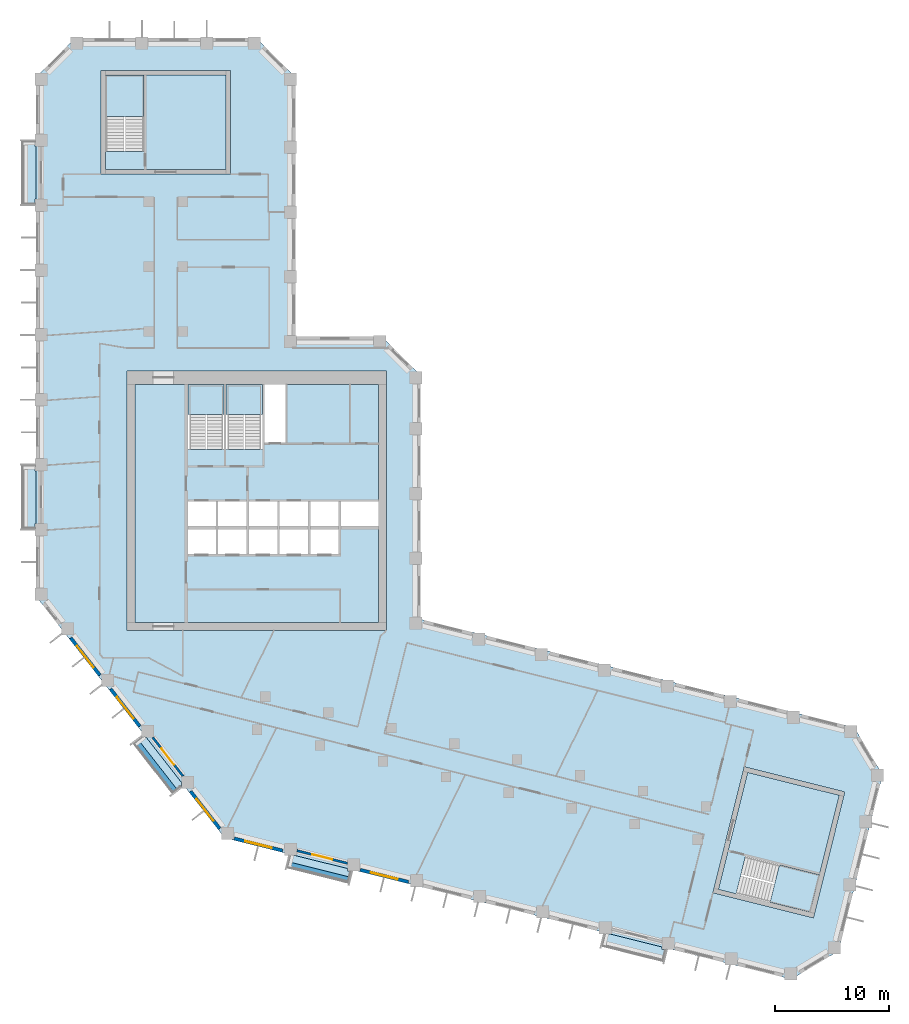
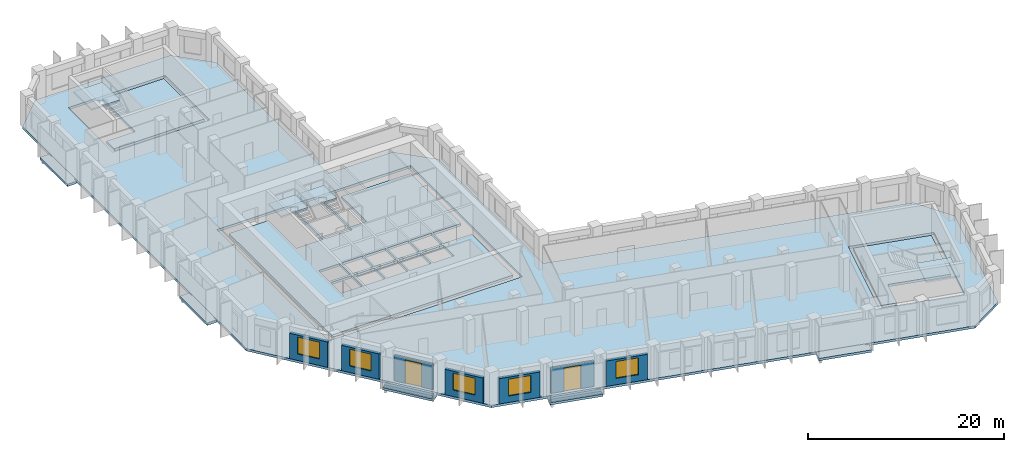
# One storey, part 2 of 10: 13 slabs, 9 walls, 5 windows, 2 doors, 7 openings, 4 elements without a shape of their own.
"""IFC4 building model written with IfcOpenShell, lengths in metres."""

from ifc_helpers import new_model, si_unit, direction, frame, frame_2d, origin, place, context, subcontext, project, spatial, polyline, rectangle, outline, extrude, material, layer, layer_set, type_object, element, fill, aggregate, save


model = new_model("IFC4")

# Units and contexts
model_context = context("Model", 3, precision=1e-05, world=origin(), true_north=direction((0.0, 1.0)))
body_context = subcontext(model_context, "Body", "Model", "MODEL_VIEW")
ifc_project = project(units=[si_unit("LENGTHUNIT", "METRE"), si_unit("AREAUNIT", "SQUARE_METRE"), si_unit("VOLUMEUNIT", "CUBIC_METRE"), si_unit("PLANEANGLEUNIT", "RADIAN"), si_unit("MASSUNIT", "GRAM", prefix="KILO")], contexts=[model_context])

# Site, building, storey
site_placement = place(None, origin())
site = spatial("IfcSite", under=ifc_project, at=site_placement, CompositionType="ELEMENT")
building_placement = place(site_placement, origin())
building = spatial("IfcBuilding", under=site, at=building_placement, Name="Meshkara Civic Tower", CompositionType="ELEMENT")
storey_placement = place(building_placement, frame((0.0, 0.0, 276.0)))
storey = spatial("IfcBuildingStorey", under=building, at=storey_placement, Name="L63", CompositionType="ELEMENT", Elevation=276.0)

# Slabs
ifc_material_1 = material(Name="Concrete C40", Category="concrete")
ifc_layer_1 = layer(ifc_material_1, 0.300048828125)
ifc_layer_set_1 = layer_set([ifc_layer_1], Name="BALCONY SLAB")
slab_type_1 = type_object("IfcSlabType", Name="BALCONY SLAB", PredefinedType="FLOOR", material=ifc_layer_set_1)
slab_1_placement = place(storey_placement, frame((0.0, 0.0, -0.300048828125)))
element("IfcSlab", 1, at=slab_1_placement, inside=storey, type_object=slab_type_1, Name="Balcony slab", PredefinedType="FLOOR", context=body_context, shape_type="SweptSolid", body=[
    extrude(outline(polyline([(-1.199951171875, 51.514892578125), (-1.199951171875, 57.094970703125), (-0.10009765625, 57.094970703125), (-0.10009765625, 56.60498046875), (0.0, 56.60498046875), (0.0, 52.0048828125), (-0.10009765625, 52.0048828125), (-0.10009765625, 51.514892578125), (-1.199951171875, 51.514892578125)])), origin(), (0.0, 0.0, 1.0), 0.300048828125),
])
slab_2_placement = place(storey_placement, frame((0.0, 0.0, -0.300048828125)))
element("IfcSlab", 2, at=slab_2_placement, inside=storey, type_object=slab_type_1, Name="Balcony slab", PredefinedType="FLOOR", context=body_context, shape_type="SweptSolid", body=[
    extrude(outline(polyline([(-1.199951171875, 23.014892578125), (-1.199951171875, 28.594970703125), (-0.10009765625, 28.594970703125), (-0.10009765625, 28.10498046875), (0.0, 28.10498046875), (0.0, 23.5048828125), (-0.10009765625, 23.5048828125), (-0.10009765625, 23.014892578125), (-1.199951171875, 23.014892578125)])), origin(), (0.0, 0.0, 1.0), 0.300048828125),
])
slab_3_placement = place(storey_placement, frame((0.0, 0.0, -0.300048828125)))
element("IfcSlab", 3, at=slab_3_placement, inside=storey, type_object=slab_type_1, Name="Balcony slab", PredefinedType="FLOOR", context=body_context, shape_type="SweptSolid", body=[
    extrude(outline(polyline([(12.0048828125, -0.215087890625), (8.570068359375, 4.181884765625), (9.282958984375, 4.739013671875), (9.282958984375, 4.695068359375), (9.69189453125, 4.695068359375), (12.7919921875, 0.72705078125), (12.7919921875, 0.39990234375), (12.0048828125, -0.215087890625)])), origin(), (0.0, 0.0, 1.0), 0.300048828125),
])
slab_4_placement = place(storey_placement, frame((0.0, 0.0, -0.300048828125)))
element("IfcSlab", 4, at=slab_4_placement, inside=storey, type_object=slab_type_1, Name="Balcony slab", PredefinedType="FLOOR", context=body_context, shape_type="SweptSolid", body=[
    extrude(outline(polyline([(27.455078125, -8.08203125), (22.041015625, -6.73193359375), (22.306884765625, -5.6669921875), (22.72900390625, -5.6669921875), (27.362060546875, -6.822021484375), (27.362060546875, -7.0458984375), (27.712890625, -7.0458984375), (27.455078125, -8.08203125)])), origin(), (0.0, 0.0, 1.0), 0.300048828125),
])
slab_5_placement = place(storey_placement, frame((0.0, 0.0, -0.300048828125)))
element("IfcSlab", 5, at=slab_5_placement, inside=storey, type_object=slab_type_1, Name="Balcony slab", PredefinedType="FLOOR", context=body_context, shape_type="SweptSolid", body=[
    extrude(outline(polyline([(55.10888671875, -14.97705078125), (49.694091796875, -13.626953125), (49.9599609375, -12.56103515625), (50.3798828125, -12.56103515625), (55.01611328125, -13.717041015625), (55.01611328125, -13.93994140625), (55.366943359375, -13.93994140625), (55.10888671875, -14.97705078125)])), origin(), (0.0, 0.0, 1.0), 0.300048828125),
])
ifc_material_2 = material(Name="Concrete C40/50", Category="concrete")
ifc_layer_2 = layer(ifc_material_2, 0.300048828125)
ifc_layer_set_2 = layer_set([ifc_layer_2], Name="Core floor slab 300 C40/50")
slab_type_2 = type_object("IfcSlabType", Name="Core floor slab 300 C40/50", PredefinedType="FLOOR", material=ifc_layer_set_2)
slab_6_placement = place(storey_placement, frame((0.0, 0.0, -0.300048828125)))
element("IfcSlab", 6, at=slab_6_placement, inside=storey, type_object=slab_type_2, Name="Core floor K", PredefinedType="FLOOR", context=body_context, shape_type="SweptSolid", body=[
    extrude(outline(polyline([(8.699951171875, 35.699951171875), (13.35009765625, 35.699951171875), (13.35009765625, 30.00146484375), (16.5, 30.00146484375), (16.5, 35.699951171875), (16.699951171875, 35.699951171875), (16.699951171875, 30.00146484375), (19.89990234375, 30.00146484375), (19.89990234375, 35.699951171875), (20.10009765625, 35.699951171875), (20.10009765625, 30.574951171875), (21.925048828125, 30.574951171875), (21.925048828125, 35.699951171875), (30.10009765625, 35.699951171875), (30.10009765625, 25.39990234375), (26.800048828125, 25.39990234375), (26.800048828125, 23.25), (30.10009765625, 23.25), (30.10009765625, 14.800048828125), (8.699951171875, 14.800048828125), (8.699951171875, 35.699951171875)]), holes=[polyline([(15.800048828125, 22.949951171875), (13.35009765625, 22.949951171875), (13.35009765625, 20.800048828125), (15.800048828125, 20.800048828125), (15.800048828125, 22.949951171875)]), polyline([(16.0, 22.949951171875), (16.0, 20.800048828125), (18.5, 20.800048828125), (18.5, 22.949951171875), (16.0, 22.949951171875)]), polyline([(18.699951171875, 22.949951171875), (18.699951171875, 20.800048828125), (21.199951171875, 20.800048828125), (21.199951171875, 22.949951171875), (18.699951171875, 22.949951171875)]), polyline([(15.800048828125, 23.25), (15.800048828125, 25.39990234375), (13.35009765625, 25.39990234375), (13.35009765625, 23.25), (15.800048828125, 23.25)]), polyline([(16.0, 25.39990234375), (16.0, 23.25), (18.5, 23.25), (18.5, 25.39990234375), (16.0, 25.39990234375)]), polyline([(21.39990234375, 20.800048828125), (23.89990234375, 20.800048828125), (23.89990234375, 22.949951171875), (21.39990234375, 22.949951171875), (21.39990234375, 20.800048828125)]), polyline([(24.10009765625, 20.800048828125), (26.60009765625, 20.800048828125), (26.60009765625, 22.949951171875), (24.10009765625, 22.949951171875), (24.10009765625, 20.800048828125)]), polyline([(18.699951171875, 25.39990234375), (18.699951171875, 23.25), (21.199951171875, 23.25), (21.199951171875, 25.39990234375), (18.699951171875, 25.39990234375)]), polyline([(21.39990234375, 25.39990234375), (21.39990234375, 23.25), (23.89990234375, 23.25), (23.89990234375, 25.39990234375), (21.39990234375, 25.39990234375)]), polyline([(24.10009765625, 23.25), (26.60009765625, 23.25), (26.60009765625, 25.39990234375), (24.10009765625, 25.39990234375), (24.10009765625, 23.25)])]), origin(), (0.0, 0.0, 1.0), 0.300048828125),
])
slab_7_placement = place(storey_placement, frame((0.0, 0.0, -0.300048828125)))
element("IfcSlab", 7, at=slab_7_placement, inside=storey, type_object=slab_type_2, Name="Core floor EA", PredefinedType="FLOOR", context=body_context, shape_type="SweptSolid", body=[
    extrude(outline(polyline([(16.699951171875, 54.570068359375), (16.699951171875, 62.8701171875), (9.5, 62.8701171875), (9.5, 56.17138671875), (6.10009765625, 56.17138671875), (6.10009765625, 54.570068359375), (16.699951171875, 54.570068359375)])), origin(), (0.0, 0.0, 1.0), 0.300048828125),
])
slab_8_placement = place(storey_placement, frame((0.0, 0.0, -0.300048828125)))
element("IfcSlab", 8, at=slab_8_placement, inside=storey, type_object=slab_type_2, Name="Core floor EB", PredefinedType="FLOOR", context=body_context, shape_type="SweptSolid", body=[
    extrude(outline(polyline([(62.519775390625, 1.623291015625), (70.5732421875, -0.384765625), (68.83154296875, -7.370849609375), (62.33203125, -5.750244140625), (61.50927734375, -9.04931640625), (59.95556640625, -8.661865234375), (62.519775390625, 1.623291015625)])), origin(), (0.0, 0.0, 1.0), 0.300048828125),
])

# Stair, slab
ifc_material_3 = material(Name="Precast concrete C40/50", Category="concrete")
stair_type_1 = type_object("IfcStairType", Name="Exit stair half-turn 24 risers precast", PredefinedType="HALF_TURN_STAIR", material=ifc_material_3)
stair_1_placement = place(storey_placement, origin())
stair_1 = element("IfcStair", 9, at=stair_1_placement, inside=storey, type_object=stair_type_1, Name="L63 exit stair 1", PredefinedType="HALF_TURN_STAIR")
ifc_material_4 = material(Name="Precast concrete C40/50", Category="concrete")
ifc_layer_3 = layer(ifc_material_4, 0.199951171875)
ifc_layer_set_3 = layer_set([ifc_layer_3], Name="Exit stair landing 200")
slab_type_3 = type_object("IfcSlabType", Name="Exit stair landing 200", PredefinedType="LANDING", material=ifc_layer_set_3)
slab_9_placement = place(storey_placement, frame((0.0, 0.0, 1.89990234375)))
slab_9 = element("IfcSlab", 10, at=slab_9_placement, type_object=slab_type_3, Name="ST1 landing 1", PredefinedType="LANDING", context=body_context, shape_type="SweptSolid", body=[
    extrude(outline(polyline([(16.5, 33.07861328125), (16.5, 35.699951171875), (13.35009765625, 35.699951171875), (13.35009765625, 33.07861328125), (16.5, 33.07861328125)])), origin(), (0.0, 0.0, 1.0), 0.2001953125),
])
aggregate(stair_1, [slab_9])

stair_2_placement = place(storey_placement, origin())
stair_2 = element("IfcStair", 11, at=stair_2_placement, inside=storey, type_object=stair_type_1, Name="L63 exit stair 2", PredefinedType="HALF_TURN_STAIR")
slab_10_placement = place(storey_placement, frame((0.0, 0.0, 1.89990234375)))
slab_10 = element("IfcSlab", 12, at=slab_10_placement, type_object=slab_type_3, Name="ST2 landing 1", PredefinedType="LANDING", context=body_context, shape_type="SweptSolid", body=[
    extrude(outline(polyline([(19.89990234375, 33.07861328125), (19.89990234375, 35.699951171875), (16.699951171875, 35.699951171875), (16.699951171875, 33.07861328125), (19.89990234375, 33.07861328125)])), origin(), (0.0, 0.0, 1.0), 0.2001953125),
])
aggregate(stair_2, [slab_10])

ifc_material_5 = material(Name="Precast concrete C40/50", Category="concrete")
stair_type_2 = type_object("IfcStairType", Name="Exit stair half-turn 24 risers 1600 precast", PredefinedType="HALF_TURN_STAIR", material=ifc_material_5)
stair_3_placement = place(storey_placement, origin())
stair_3 = element("IfcStair", 13, at=stair_3_placement, inside=storey, type_object=stair_type_2, Name="L63 exit stair A from L50", PredefinedType="HALF_TURN_STAIR")
slab_11_placement = place(storey_placement, frame((0.0, 0.0, 1.89990234375)))
slab_11 = element("IfcSlab", 14, at=slab_11_placement, type_object=slab_type_3, Name="ESA4 landing 1", PredefinedType="LANDING", context=body_context, shape_type="SweptSolid", body=[
    extrude(outline(polyline([(9.5, 59.24853515625), (9.5, 62.8701171875), (6.10009765625, 62.8701171875), (6.10009765625, 59.24853515625), (9.5, 59.24853515625)])), origin(), (0.0, 0.0, 1.0), 0.2001953125),
])
aggregate(stair_3, [slab_11])

stair_4_placement = place(storey_placement, origin())
stair_4 = element("IfcStair", 15, at=stair_4_placement, inside=storey, type_object=stair_type_2, Name="L63 exit stair B from L50", PredefinedType="HALF_TURN_STAIR")
slab_12_placement = place(storey_placement, frame((0.0, 0.0, 1.89990234375)))
slab_12 = element("IfcSlab", 16, at=slab_12_placement, type_object=slab_type_3, Name="ESB4 landing 1", PredefinedType="LANDING", context=body_context, shape_type="SweptSolid", body=[
    extrude(outline(polyline([(64.49462890625, -9.794677734375), (68.0087890625, -10.67138671875), (68.83203125, -7.371337890625), (65.318115234375, -6.49462890625), (64.49462890625, -9.794677734375)])), origin(), (0.0, 0.0, 1.0), 0.2001953125),
])
aggregate(stair_4, [slab_12])

# Slab
ifc_material_6 = material(Name="Concrete C50", Category="concrete")
ifc_layer_4 = layer(ifc_material_6, 0.300048828125)
ifc_layer_set_4 = layer_set([ifc_layer_4], Name="Post-tensioned flat slab 300 C50")
slab_type_4 = type_object("IfcSlabType", Name="Post-tensioned flat slab 300 C50", PredefinedType="FLOOR", material=ifc_layer_set_4)
slab_13_placement = place(storey_placement, frame((0.0, 0.0, -0.300048828125)))
element("IfcSlab", 17, at=slab_13_placement, inside=storey, type_object=slab_type_4, Name="Post-tensioned flat slab L63", PredefinedType="FLOOR", context=body_context, shape_type="SweptSolid", body=[
    extrude(outline(polyline([(70.513916015625, -14.055908203125), (66.367919921875, -16.547119140625), (16.592041015625, -4.136962890625), (0.0, 17.10009765625), (0.0, 62.699951171875), (3.419921875, 66.1201171875), (19.3798828125, 66.1201171875), (22.800048828125, 62.699951171875), (22.800048828125, 39.89990234375), (30.3798828125, 39.89990234375), (33.800048828125, 36.47998046875), (33.800048828125, 15.071044921875), (71.884033203125, 5.574951171875), (74.375, 1.429931640625), (70.513916015625, -14.055908203125)]), holes=[polyline([(68.300048828125, -11.155029296875), (71.05810546875, -0.093017578125), (62.22802734375, 2.10791015625), (59.470947265625, -8.952880859375), (68.300048828125, -11.155029296875)]), polyline([(8.0, 14.10009765625), (30.800048828125, 14.10009765625), (30.800048828125, 36.89990234375), (8.0, 36.89990234375), (8.0, 14.10009765625)]), polyline([(5.699951171875, 63.27001953125), (5.699951171875, 54.169921875), (17.10009765625, 54.169921875), (17.10009765625, 63.27001953125), (5.699951171875, 63.27001953125)])]), origin(), (0.0, 0.0, 1.0), 0.300048828125),
])

# Wall, opening, window
ifc_material_7 = material(Name="Insulated infill panel with bronze anodised aluminium cladding", Category="aluminium")
ifc_layer_5 = layer(ifc_material_7, 0.300048828125)
ifc_layer_set_5 = layer_set([ifc_layer_5], Name="EXTERNAL INFILL WALL 300")
wall_type_1 = type_object("IfcWallType", Name="EXTERNAL INFILL WALL 300", PredefinedType="SOLIDWALL", material=ifc_layer_set_5)
wall_1_placement = place(storey_placement, frame((3.052978515625, 13.43603515625, 0.0), z_axis=(0.0, 0.0, 1.0), x_axis=(0.615699893917, -0.787980736205, 0.0)))
wall_1 = element("IfcWall", 18, at=wall_1_placement, inside=storey, type_object=wall_type_1, Name="External wall", PredefinedType="SOLIDWALL", context=body_context, shape_type="SweptSolid", body=[
    extrude(rectangle(XDim=4.156494140625, YDim=0.300048828125, at=frame_2d((2.078125, 0.0))), origin(), (0.0, 0.0, 1.0), 3.14990234375),
])
opening_1_placement = place(wall_1_placement, frame((0.8779296875, 0.0, 0.800048828125)))
opening_1 = element("IfcOpeningElement", 19, at=opening_1_placement, cuts=wall_1, Name="Opening W7", PredefinedType="OPENING", context=body_context, shape_type="SweptSolid", body=[
    extrude(rectangle(XDim=2.39990234375, YDim=2.10009765625, at=frame_2d((1.199951171875, 1.050048828125))), frame((0.0, 0.159912109375, 0.0), z_axis=(0.0, -1.0, 0.0), x_axis=(1.0, 0.0, 0.0)), (0.0, 0.0, 1.0), 0.320068359375),
])
ifc_material_8 = material(Name="Tinted double glazing", Category="glass")
window_type = type_object("IfcWindowType", Name="WINDOW 2400x2100", PartitioningType="DOUBLE_PANEL_VERTICAL", PredefinedType="WINDOW", material=ifc_material_8)
window_1_placement = place(opening_1_placement, origin())
window_1 = element("IfcWindow", 20, at=window_1_placement, inside=storey, type_object=window_type, Name="Window", OverallHeight=2.10009765625, OverallWidth=2.39990234375, PartitioningType="DOUBLE_PANEL_VERTICAL", PredefinedType="WINDOW", context=body_context, shape_type="SweptSolid", body=[
    extrude(rectangle(XDim=2.39990234375, YDim=2.10009765625, at=frame_2d((1.199951171875, 1.050048828125))), frame((0.0, 0.030029296875, 0.0), z_axis=(0.0, -1.0, 0.0), x_axis=(1.0, 0.0, 0.0)), (0.0, 0.0, 1.0), 0.06005859375),
])
fill(opening_1, window_1)

wall_2_placement = place(storey_placement, frame((6.56201171875, 8.944091796875, 0.0), z_axis=(0.0, 0.0, 1.0), x_axis=(0.615699893917, -0.787980736205, 0.0)))
wall_2 = element("IfcWall", 21, at=wall_2_placement, inside=storey, type_object=wall_type_1, Name="External wall", PredefinedType="SOLIDWALL", context=body_context, shape_type="SweptSolid", body=[
    extrude(rectangle(XDim=4.156494140625, YDim=0.300048828125, at=frame_2d((2.078125, 0.0))), origin(), (0.0, 0.0, 1.0), 3.14990234375),
])
opening_2_placement = place(wall_2_placement, frame((0.8779296875, 0.0, 0.800048828125)))
opening_2 = element("IfcOpeningElement", 22, at=opening_2_placement, cuts=wall_2, Name="Opening W7", PredefinedType="OPENING", context=body_context, shape_type="SweptSolid", body=[
    extrude(rectangle(XDim=2.39990234375, YDim=2.10009765625, at=frame_2d((1.199951171875, 1.050048828125))), frame((0.0, 0.159912109375, 0.0), z_axis=(0.0, -1.0, 0.0), x_axis=(1.0, 0.0, 0.0)), (0.0, 0.0, 1.0), 0.320068359375),
])
window_2_placement = place(opening_2_placement, origin())
window_2 = element("IfcWindow", 23, at=window_2_placement, inside=storey, type_object=window_type, Name="Window", OverallHeight=2.10009765625, OverallWidth=2.39990234375, PartitioningType="DOUBLE_PANEL_VERTICAL", PredefinedType="WINDOW", context=body_context, shape_type="SweptSolid", body=[
    extrude(rectangle(XDim=2.39990234375, YDim=2.10009765625, at=frame_2d((1.199951171875, 1.050048828125))), frame((0.0, 0.030029296875, 0.0), z_axis=(0.0, -1.0, 0.0), x_axis=(1.0, 0.0, 0.0)), (0.0, 0.0, 1.0), 0.06005859375),
])
fill(opening_2, window_2)

wall_3_placement = place(storey_placement, frame((13.5810546875, -0.0390625, 0.0), z_axis=(0.0, 0.0, 1.0), x_axis=(0.615545986363, -0.788100969846, 0.0)))
wall_3 = element("IfcWall", 24, at=wall_3_placement, inside=storey, type_object=wall_type_1, Name="External wall", PredefinedType="SOLIDWALL", context=body_context, shape_type="SweptSolid", body=[
    extrude(rectangle(XDim=4.155517578125, YDim=0.300048828125, at=frame_2d((2.07763671875, 0.0))), origin(), (0.0, 0.0, 1.0), 3.14990234375),
])
opening_3_placement = place(wall_3_placement, frame((0.8779296875, 0.0, 0.800048828125)))
opening_3 = element("IfcOpeningElement", 25, at=opening_3_placement, cuts=wall_3, Name="Opening W7", PredefinedType="OPENING", context=body_context, shape_type="SweptSolid", body=[
    extrude(rectangle(XDim=2.39990234375, YDim=2.10009765625, at=frame_2d((1.199951171875, 1.050048828125))), frame((0.0, 0.159912109375, 0.0), z_axis=(0.0, -1.0, 0.0), x_axis=(1.0, 0.0, 0.0)), (0.0, 0.0, 1.0), 0.320068359375),
])
window_3_placement = place(opening_3_placement, origin())
window_3 = element("IfcWindow", 26, at=window_3_placement, inside=storey, type_object=window_type, Name="Window", OverallHeight=2.10009765625, OverallWidth=2.39990234375, PartitioningType="DOUBLE_PANEL_VERTICAL", PredefinedType="WINDOW", context=body_context, shape_type="SweptSolid", body=[
    extrude(rectangle(XDim=2.39990234375, YDim=2.10009765625, at=frame_2d((1.199951171875, 1.050048828125))), frame((0.0, 0.030029296875, 0.0), z_axis=(0.0, -1.0, 0.0), x_axis=(1.0, 0.0, 0.0)), (0.0, 0.0, 1.0), 0.06005859375),
])
fill(opening_3, window_3)

wall_4_placement = place(storey_placement, frame((17.425048828125, -4.18994140625, 0.0), z_axis=(0.0, 0.0, 1.0), x_axis=(0.970270592847, -0.242022677978, 0.0)))
wall_4 = element("IfcWall", 27, at=wall_4_placement, inside=storey, type_object=wall_type_1, Name="External wall", PredefinedType="SOLIDWALL", context=body_context, shape_type="SweptSolid", body=[
    extrude(rectangle(XDim=4.367919921875, YDim=0.300048828125, at=frame_2d((2.18408203125, 0.0))), origin(), (0.0, 0.0, 1.0), 3.14990234375),
])
opening_4_placement = place(wall_4_placement, frame((0.98291015625, 0.0, 0.800048828125)))
opening_4 = element("IfcOpeningElement", 28, at=opening_4_placement, cuts=wall_4, Name="Opening W7", PredefinedType="OPENING", context=body_context, shape_type="SweptSolid", body=[
    extrude(rectangle(XDim=2.39990234375, YDim=2.10009765625, at=frame_2d((1.199951171875, 1.050048828125))), frame((0.0, 0.159912109375, 0.0), z_axis=(0.0, -1.0, 0.0), x_axis=(1.0, 0.0, 0.0)), (0.0, 0.0, 1.0), 0.320068359375),
])
window_4_placement = place(opening_4_placement, origin())
window_4 = element("IfcWindow", 29, at=window_4_placement, inside=storey, type_object=window_type, Name="Window", OverallHeight=2.10009765625, OverallWidth=2.39990234375, PartitioningType="DOUBLE_PANEL_VERTICAL", PredefinedType="WINDOW", context=body_context, shape_type="SweptSolid", body=[
    extrude(rectangle(XDim=2.39990234375, YDim=2.10009765625, at=frame_2d((1.199951171875, 1.050048828125))), frame((0.0, 0.030029296875, 0.0), z_axis=(0.0, -1.0, 0.0), x_axis=(1.0, 0.0, 0.0)), (0.0, 0.0, 1.0), 0.06005859375),
])
fill(opening_4, window_4)

wall_5_placement = place(storey_placement, frame((28.486083984375, -6.947998046875, 0.0), z_axis=(0.0, 0.0, 1.0), x_axis=(0.970336189295, -0.241759549438, 0.0)))
wall_5 = element("IfcWall", 30, at=wall_5_placement, inside=storey, type_object=wall_type_1, Name="External wall", PredefinedType="SOLIDWALL", context=body_context, shape_type="SweptSolid", body=[
    extrude(rectangle(XDim=4.36767578125, YDim=0.300048828125, at=frame_2d((2.183837890625, 0.0))), origin(), (0.0, 0.0, 1.0), 3.14990234375),
])
opening_5_placement = place(wall_5_placement, frame((0.98291015625, 0.0, 0.800048828125)))
opening_5 = element("IfcOpeningElement", 31, at=opening_5_placement, cuts=wall_5, Name="Opening W7", PredefinedType="OPENING", context=body_context, shape_type="SweptSolid", body=[
    extrude(rectangle(XDim=2.39990234375, YDim=2.10009765625, at=frame_2d((1.199951171875, 1.050048828125))), frame((0.0, 0.159912109375, 0.0), z_axis=(0.0, -1.0, 0.0), x_axis=(1.0, 0.0, 0.0)), (0.0, 0.0, 1.0), 0.320068359375),
])
window_5_placement = place(opening_5_placement, origin())
window_5 = element("IfcWindow", 32, at=window_5_placement, inside=storey, type_object=window_type, Name="Window", OverallHeight=2.10009765625, OverallWidth=2.39990234375, PartitioningType="DOUBLE_PANEL_VERTICAL", PredefinedType="WINDOW", context=body_context, shape_type="SweptSolid", body=[
    extrude(rectangle(XDim=2.39990234375, YDim=2.10009765625, at=frame_2d((1.199951171875, 1.050048828125))), frame((0.0, 0.030029296875, 0.0), z_axis=(0.0, -1.0, 0.0), x_axis=(1.0, 0.0, 0.0)), (0.0, 0.0, 1.0), 0.06005859375),
])
fill(opening_5, window_5)

# Wall, opening, door
ifc_material_9 = material(Name="Insulated infill panel with bronze anodised aluminium cladding", Category="aluminium")
ifc_layer_6 = layer(ifc_material_9, 0.199951171875)
ifc_layer_set_6 = layer_set([ifc_layer_6], Name="LOGGIA BACK WALL 200")
wall_type_2 = type_object("IfcWallType", Name="LOGGIA BACK WALL 200", PredefinedType="SOLIDWALL", material=ifc_layer_set_6)
wall_6_placement = place(storey_placement, frame((10.262939453125, 4.695068359375, 0.0), z_axis=(0.0, 0.0, 1.0), x_axis=(0.615624224328, -0.788039855858, 0.0)))
wall_6 = element("IfcWall", 33, at=wall_6_placement, inside=storey, type_object=wall_type_2, Name="Loggia wall", PredefinedType="SOLIDWALL", context=body_context, shape_type="SweptSolid", body=[
    extrude(rectangle(XDim=4.30322265625, YDim=0.199951171875, at=frame_2d((2.151611328125, 0.0))), origin(), (0.0, 0.0, 1.0), 3.14990234375),
])
opening_6_placement = place(wall_6_placement, frame((1.2509765625, 0.0, 0.0)))
opening_6 = element("IfcOpeningElement", 34, at=opening_6_placement, cuts=wall_6, Name="Opening L63-L003", PredefinedType="OPENING", context=body_context, shape_type="SweptSolid", body=[
    extrude(rectangle(XDim=1.800048828125, YDim=2.89990234375, at=frame_2d((0.89990234375, 1.449951171875))), frame((0.0, 0.10986328125, 0.0), z_axis=(0.0, -1.0, 0.0), x_axis=(1.0, 0.0, 0.0)), (0.0, 0.0, 1.0), 0.219970703125),
])
ifc_material_10 = material(Name="Tinted double glazing", Category="glass")
door_type = type_object("IfcDoorType", Name="LOGGIA DOOR 1800x2900", OperationType="DOUBLE_DOOR_SINGLE_SWING", PredefinedType="DOOR", material=ifc_material_10)
door_1_placement = place(opening_6_placement, origin())
door_1 = element("IfcDoor", 35, at=door_1_placement, inside=storey, type_object=door_type, Name="L63-L003", OperationType="DOUBLE_DOOR_SINGLE_SWING", OverallHeight=2.89990234375, OverallWidth=1.800048828125, PredefinedType="DOOR", context=body_context, shape_type="SweptSolid", body=[
    extrude(rectangle(XDim=1.800048828125, YDim=2.89990234375, at=frame_2d((0.89990234375, 1.449951171875))), frame((0.0, 0.02490234375, 0.0), z_axis=(0.0, -1.0, 0.0), x_axis=(1.0, 0.0, 0.0)), (0.0, 0.0, 1.0), 0.050048828125),
])
fill(opening_6, door_1)

wall_7_placement = place(storey_placement, frame((22.931884765625, -5.25390625, 0.0), z_axis=(0.0, 0.0, 1.0), x_axis=(0.970324663654, -0.241805804532, 0.0)))
wall_7 = element("IfcWall", 36, at=wall_7_placement, inside=storey, type_object=wall_type_2, Name="Loggia wall", PredefinedType="SOLIDWALL", context=body_context, shape_type="SweptSolid", body=[
    extrude(rectangle(XDim=4.565673828125, YDim=0.199951171875, at=frame_2d((2.28271484375, 0.0))), origin(), (0.0, 0.0, 1.0), 3.14990234375),
])
opening_7_placement = place(wall_7_placement, frame((1.382080078125, 0.0, 0.0)))
opening_7 = element("IfcOpeningElement", 37, at=opening_7_placement, cuts=wall_7, Name="Opening L63-L004", PredefinedType="OPENING", context=body_context, shape_type="SweptSolid", body=[
    extrude(rectangle(XDim=1.800048828125, YDim=2.89990234375, at=frame_2d((0.89990234375, 1.449951171875))), frame((0.0, 0.10986328125, 0.0), z_axis=(0.0, -1.0, 0.0), x_axis=(1.0, 0.0, 0.0)), (0.0, 0.0, 1.0), 0.219970703125),
])
door_2_placement = place(opening_7_placement, origin())
door_2 = element("IfcDoor", 38, at=door_2_placement, inside=storey, type_object=door_type, Name="L63-L004", OperationType="DOUBLE_DOOR_SINGLE_SWING", OverallHeight=2.89990234375, OverallWidth=1.800048828125, PredefinedType="DOOR", context=body_context, shape_type="SweptSolid", body=[
    extrude(rectangle(XDim=1.800048828125, YDim=2.89990234375, at=frame_2d((0.89990234375, 1.449951171875))), frame((0.0, 0.02490234375, 0.0), z_axis=(0.0, -1.0, 0.0), x_axis=(1.0, 0.0, 0.0)), (0.0, 0.0, 1.0), 0.050048828125),
])
fill(opening_7, door_2)

# Walls
ifc_material_11 = material(Name="Concrete C40", Category="concrete")
ifc_layer_7 = layer(ifc_material_11, 0.39990234375)
ifc_layer_set_7 = layer_set([ifc_layer_7], Name="PLANTER TRAY")
wall_type_3 = type_object("IfcWallType", Name="PLANTER TRAY", PredefinedType="SOLIDWALL", material=ifc_layer_set_7)
wall_8_placement = place(storey_placement, frame((8.889892578125, 4.2919921875, 0.0), z_axis=(0.0, 0.0, 1.0), x_axis=(0.615636085037, -0.788030590016, 0.0)))
element("IfcWall", 39, at=wall_8_placement, inside=storey, type_object=wall_type_3, Name="Planter", PredefinedType="SOLIDWALL", context=body_context, shape_type="SweptSolid", body=[
    extrude(rectangle(XDim=5.35888671875, YDim=0.39990234375, at=frame_2d((2.679443359375, 0.0))), origin(), (0.0, 0.0, 1.0), 0.300048828125),
])
wall_9_placement = place(storey_placement, frame((22.22509765625, -6.447998046875, 0.0), z_axis=(0.0, 0.0, 1.0), x_axis=(0.970268314528, -0.242031811592, 0.0)))
element("IfcWall", 40, at=wall_9_placement, inside=storey, type_object=wall_type_3, Name="Planter", PredefinedType="SOLIDWALL", context=body_context, shape_type="SweptSolid", body=[
    extrude(rectangle(XDim=5.359375, YDim=0.39990234375, at=frame_2d((2.6796875, 0.0))), origin(), (0.0, 0.0, 1.0), 0.300048828125),
])

save(model, "model.ifc")
